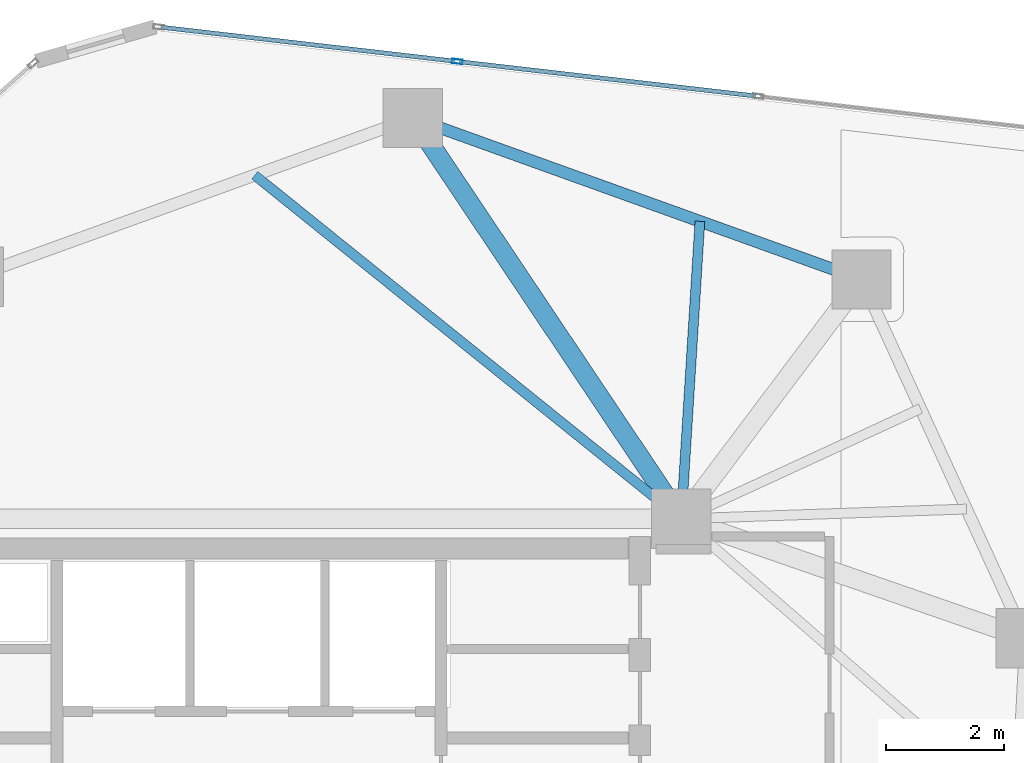
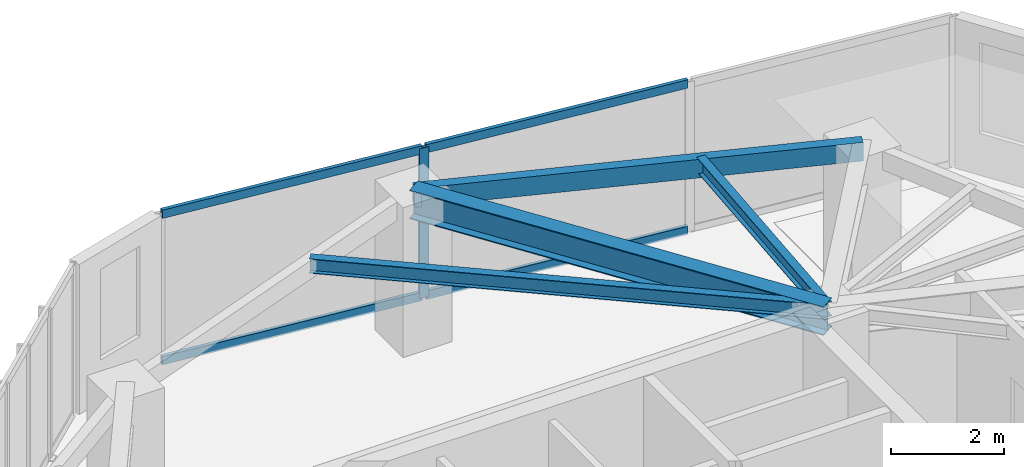
# One storey, part 13 of 20: 5 members, 4 beams, 1 element without a shape of its own.
"""IFC4 building model written with IfcOpenShell, lengths in metres."""

from ifc_helpers import new_model, si_unit, direction, frame, origin, origin_2d, place, context, subcontext, project, spatial, hollow_rectangle, i_section, extrude, source, transform, mapped, material, layer, layer_set, material_profile, profile_set, type_object, type_shapes, element, aggregate, save


model = new_model("IFC4")

# Units and contexts
model_context = context("Model", 3, precision=1e-05, world=origin(), true_north=direction((0.0, 1.0)))
body_context = subcontext(model_context, "Body", "Model", "MODEL_VIEW")
ifc_project = project(units=[si_unit("LENGTHUNIT", "METRE"), si_unit("AREAUNIT", "SQUARE_METRE"), si_unit("VOLUMEUNIT", "CUBIC_METRE"), si_unit("PLANEANGLEUNIT", "RADIAN"), si_unit("MASSUNIT", "GRAM", prefix="KILO")], contexts=[model_context])

# Site, building, storey
site_placement = place(None, origin())
site = spatial("IfcSite", under=ifc_project, at=site_placement, CompositionType="ELEMENT")
building_placement = place(site_placement, origin())
building = spatial("IfcBuilding", under=site, at=building_placement, Name="Talar Marvaseh", CompositionType="ELEMENT")
storey_placement = place(building_placement, frame((0.0, 0.0, 215.199951171875)))
storey = spatial("IfcBuildingStorey", under=building, at=storey_placement, Name="L56", CompositionType="ELEMENT", Elevation=215.199951171875)

# Beams
ifc_material_1 = material(Name="Steel S355", Category="steel")
ifc_material_profile_1 = material_profile(ifc_material_1, hollow_rectangle(XDim=0.199951171875, YDim=0.39990234375, WallThickness=0.013916015625, at=origin_2d()), Name="RHS400x200x14")
ifc_profile_set_1 = profile_set([ifc_material_profile_1], Name="Steel S355")
beam_type_1 = type_object("IfcBeamType", Name="Zone 3 Perimeter Spandrel Beam RHS400x200x14", PredefinedType="SPANDREL", material=ifc_profile_set_1)
beam_1_placement = place(storey_placement, frame((28.76611328125, 43.66796875, 3.030029296875), z_axis=(0.940923359576, -0.3386195969, 0.0), x_axis=(0.3386195969, 0.940923359576, 0.0)))
element("IfcBeam", 1, at=beam_1_placement, inside=storey, type_object=beam_type_1, Name="L56 Zone 3 Perimeter Spandrel Beam RHS400x200x14", PredefinedType="SPANDREL", context=body_context, shape_type="SweptSolid", body=[
    extrude(hollow_rectangle(XDim=0.199951171875, YDim=0.39990234375, WallThickness=0.013916015625, at=origin_2d()), origin(), (0.0, 0.0, 1.0), 8.050537109375),
])
ifc_material_profile_2 = material_profile(ifc_material_1, i_section(OverallWidth=0.324951171875, OverallDepth=0.615966796875, WebThickness=0.013916015625, FlangeThickness=0.021484375, at=origin_2d()), Name="W610x174")
ifc_profile_set_2 = profile_set([ifc_material_profile_2], Name="Steel S355")
beam_type_2 = type_object("IfcBeamType", Name="Zone 3 Radial Floor Girder W610x174", PredefinedType="BEAM", material=ifc_profile_set_2)
beam_2_placement = place(storey_placement, frame((28.76611328125, 43.66796875, 2.922119140625), z_axis=(0.556559209375, -0.830807948, 0.0), x_axis=(0.830807948, 0.556559209375, 0.0)))
element("IfcBeam", 2, at=beam_2_placement, inside=storey, type_object=beam_type_2, Name="L56 Zone 3 Radial Floor Girder W610x174", PredefinedType="BEAM", context=body_context, shape_type="SweptSolid", body=[
    extrude(i_section(OverallWidth=0.324951171875, OverallDepth=0.615966796875, WebThickness=0.013916015625, FlangeThickness=0.021484375, at=origin_2d()), origin(), (0.0, 0.0, 1.0), 8.146484375),
])
ifc_material_profile_3 = material_profile(ifc_material_1, i_section(OverallWidth=0.166015625, OverallDepth=0.31298828125, WebThickness=0.006591796875, FlangeThickness=0.01123046875, at=origin_2d()), Name="W310x45")
ifc_profile_set_3 = profile_set([ifc_material_profile_3], Name="Steel S355")
beam_type_3 = type_object("IfcBeamType", Name="Zone 3 Secondary Floor Joist W310x45", PredefinedType="JOIST", material=ifc_profile_set_3)
beam_3_placement = place(storey_placement, frame((33.614013671875, 41.92333984375, 3.073486328125), z_axis=(-0.062378286155, -0.998052578483, 0.0), x_axis=(0.998052578483, -0.062378286155, 0.0)))
element("IfcBeam", 3, at=beam_3_placement, inside=storey, type_object=beam_type_3, Name="L56 Zone 3 Secondary Floor Joist W310x45", PredefinedType="JOIST", context=body_context, shape_type="SweptSolid", body=[
    extrude(i_section(OverallWidth=0.166015625, OverallDepth=0.31298828125, WebThickness=0.006591796875, FlangeThickness=0.01123046875, at=origin_2d()), origin(), (0.0, 0.0, 1.0), 5.033203125),
])
beam_4_placement = place(storey_placement, frame((26.096923828125, 42.702392578125, 3.073486328125), z_axis=(0.778755341842, -0.627327759272, 0.0), x_axis=(0.627327759272, 0.778755341842, 0.0)))
element("IfcBeam", 4, at=beam_4_placement, inside=storey, type_object=beam_type_3, Name="L56 Zone 3 Secondary Floor Joist W310x45", PredefinedType="JOIST", context=body_context, shape_type="SweptSolid", body=[
    extrude(i_section(OverallWidth=0.166015625, OverallDepth=0.31298828125, WebThickness=0.006591796875, FlangeThickness=0.01123046875, at=origin_2d()), origin(), (0.0, 0.0, 1.0), 9.24951171875),
])

# Curtain wall, members
ifc_material_2 = material(Name="Architectural Aluminium", Category="aluminium")
ifc_layer = layer(ifc_material_2, 0.18994140625)
ifc_layer_set = layer_set([ifc_layer], Name="Architectural Aluminium")
curtain_wall_type = type_object("IfcCurtainWallType", Name="Unitised Solar Atelier Curtain Wall Z3", PredefinedType="NOTDEFINED", material=ifc_layer_set)
curtain_wall_placement = place(storey_placement, origin())
curtain_wall = element("IfcCurtainWall", 5, at=curtain_wall_placement, inside=storey, type_object=curtain_wall_type, Name="L56 Unitised Solar Atelier Curtain Wall Z3", PredefinedType="NOTDEFINED")
ifc_material_profile_4 = material_profile(ifc_material_2, hollow_rectangle(XDim=0.074951171875, YDim=0.179931640625, WallThickness=0.0048828125, at=origin_2d()), Name="RHS180x75x5")
ifc_profile_set_4 = profile_set([ifc_material_profile_4], Name="Architectural Aluminium")
member_type_1 = type_object("IfcMemberType", Name="Unitised Curtain Wall Standard Mullion RHS180x75x5", PredefinedType="MULLION", material=ifc_profile_set_4)
shared_shape_1 = source(origin(), body_context, "Body", "SweptSolid", [
    extrude(hollow_rectangle(XDim=0.074951171875, YDim=0.179931640625, WallThickness=0.0048828125, at=origin_2d()), origin(), (0.0, 0.0, 1.0), 3.22998046875),
])
type_shapes(member_type_1, [shared_shape_1])
member_1_placement = place(storey_placement, frame((29.51708984375, 44.62109375, 0.0), z_axis=(0.0, 0.0, 1.0), x_axis=(0.114870315646, 0.993380496378, 0.0)))
member_1 = element("IfcMember", 6, at=member_1_placement, type_object=member_type_1, Name="CW-Z3 mullion 2", PredefinedType="MULLION", context=body_context, shape_type="MappedRepresentation", body=[
    mapped(shared_shape_1, transform((0.0, 0.0, 0.0), x_axis=(1.0, 0.0, 0.0), y_axis=(0.0, 1.0, 0.0), z_axis=(0.0, 0.0, 1.0), scale=1.0)),
])
ifc_material_profile_5 = material_profile(ifc_material_2, hollow_rectangle(XDim=0.074951171875, YDim=0.179931640625, WallThickness=0.0048828125, at=origin_2d()), Name="RHS180x75x5")
ifc_profile_set_5 = profile_set([ifc_material_profile_5], Name="Architectural Aluminium")
member_type_2 = type_object("IfcMemberType", Name="Unitised Curtain Wall Transom RHS180x75x5", PredefinedType="USERDEFINED", material=ifc_profile_set_5)
shared_shape_2 = source(origin(), body_context, "Body", "SweptSolid", [
    extrude(hollow_rectangle(XDim=0.074951171875, YDim=0.179931640625, WallThickness=0.0048828125, at=origin_2d()), origin(), (0.0, 0.0, 1.0), 5.00048828125),
])
member_2_placement = place(storey_placement, frame((24.512451171875, 45.199951171875, 0.03759765625), z_axis=(0.993378965932, -0.114883549928, 0.0), x_axis=(0.114883549928, 0.993378965932, 0.0)))
member_2 = element("IfcMember", 7, at=member_2_placement, type_object=member_type_2, Name="CW-Z3 transom 1.1", ObjectType="TRANSOM", PredefinedType="USERDEFINED", context=body_context, shape_type="MappedRepresentation", body=[
    mapped(shared_shape_2, transform((0.0, 0.0, 0.0), x_axis=(1.0, 0.0, 0.0), y_axis=(0.0, 1.0, 0.0), z_axis=(0.0, 0.0, 1.0), scale=1.0)),
])
member_3_placement = place(storey_placement, frame((24.512451171875, 45.199951171875, 3.192626953125), z_axis=(0.993378965932, -0.114883549928, 0.0), x_axis=(0.114883549928, 0.993378965932, 0.0)))
member_3 = element("IfcMember", 8, at=member_3_placement, type_object=member_type_2, Name="CW-Z3 transom 1.2", ObjectType="TRANSOM", PredefinedType="USERDEFINED", context=body_context, shape_type="MappedRepresentation", body=[
    mapped(shared_shape_2, transform((0.0, 0.0, 0.0), x_axis=(1.0, 0.0, 0.0), y_axis=(0.0, 1.0, 0.0), z_axis=(0.0, 0.0, 1.0), scale=1.0)),
])
shared_shape_3 = source(origin(), body_context, "Body", "SweptSolid", [
    extrude(hollow_rectangle(XDim=0.074951171875, YDim=0.179931640625, WallThickness=0.0048828125, at=origin_2d()), origin(), (0.0, 0.0, 1.0), 5.038330078125),
])
type_shapes(member_type_2, [shared_shape_2, shared_shape_3])
member_4_placement = place(storey_placement, frame((29.55419921875, 44.616943359375, 0.03759765625), z_axis=(0.9933779151, -0.114892635937, 0.0), x_axis=(0.114892635937, 0.9933779151, 0.0)))
member_4 = element("IfcMember", 9, at=member_4_placement, type_object=member_type_2, Name="CW-Z3 transom 2.1", ObjectType="TRANSOM", PredefinedType="USERDEFINED", context=body_context, shape_type="MappedRepresentation", body=[
    mapped(shared_shape_3, transform((0.0, 0.0, 0.0), x_axis=(1.0, 0.0, 0.0), y_axis=(0.0, 1.0, 0.0), z_axis=(0.0, 0.0, 1.0), scale=1.0)),
])
member_5_placement = place(storey_placement, frame((29.55419921875, 44.616943359375, 3.192626953125), z_axis=(0.9933779151, -0.114892635937, 0.0), x_axis=(0.114892635937, 0.9933779151, 0.0)))
member_5 = element("IfcMember", 10, at=member_5_placement, type_object=member_type_2, Name="CW-Z3 transom 2.2", ObjectType="TRANSOM", PredefinedType="USERDEFINED", context=body_context, shape_type="MappedRepresentation", body=[
    mapped(shared_shape_3, transform((0.0, 0.0, 0.0), x_axis=(1.0, 0.0, 0.0), y_axis=(0.0, 1.0, 0.0), z_axis=(0.0, 0.0, 1.0), scale=1.0)),
])
aggregate(curtain_wall, [member_1, member_2, member_3, member_4, member_5])

save(model, "model.ifc")
